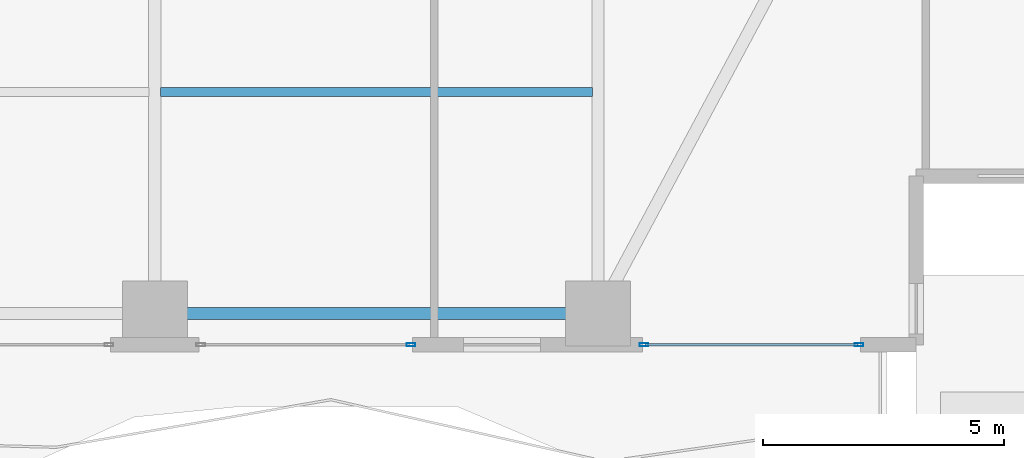
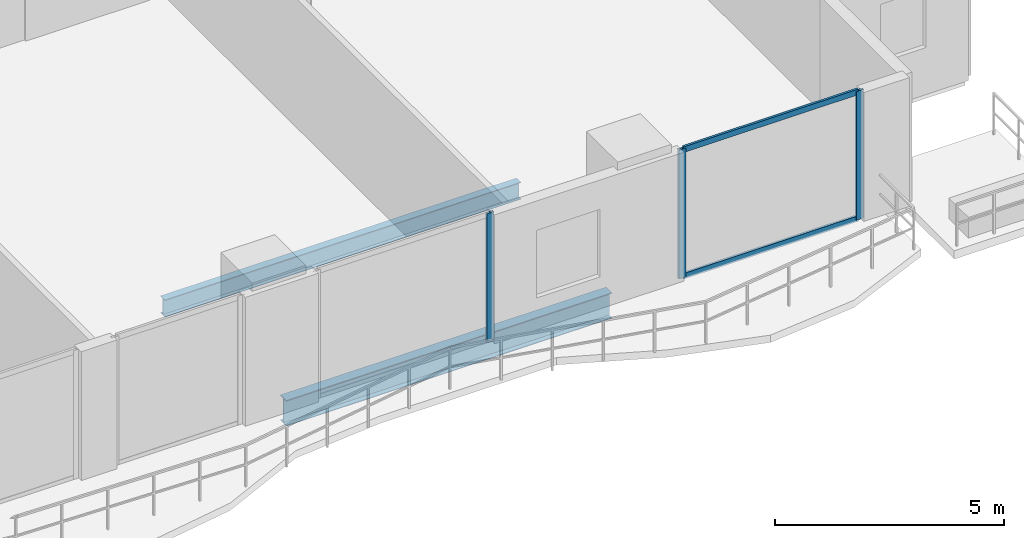
# One storey, part 9 of 30: 5 members, 2 beams, 2 elements without a shape of their own.
"""IFC4 building model written with IfcOpenShell, lengths in metres."""

from ifc_helpers import new_model, si_unit, direction, frame, origin, origin_2d, place, context, subcontext, project, spatial, hollow_rectangle, i_section, extrude, material, layer, layer_set, material_profile, profile_set, type_object, element, aggregate, save


model = new_model("IFC4")

# Units and contexts
model_context = context("Model", 3, precision=1e-05, world=origin(), true_north=direction((0.0, 1.0)))
body_context = subcontext(model_context, "Body", "Model", "MODEL_VIEW")
ifc_project = project(units=[si_unit("LENGTHUNIT", "METRE"), si_unit("AREAUNIT", "SQUARE_METRE"), si_unit("VOLUMEUNIT", "CUBIC_METRE"), si_unit("PLANEANGLEUNIT", "RADIAN"), si_unit("MASSUNIT", "GRAM", prefix="KILO")], contexts=[model_context])

# Site, building, storey
site_placement = place(None, origin())
site = spatial("IfcSite", under=ifc_project, at=site_placement, CompositionType="ELEMENT")
building_placement = place(site_placement, origin())
building = spatial("IfcBuilding", under=site, at=building_placement, Name="Zuhayl Quay Hotel", CompositionType="ELEMENT")
storey_placement = place(building_placement, frame((0.0, 0.0, 128.5)))
storey = spatial("IfcBuildingStorey", under=building, at=storey_placement, Name="L32", CompositionType="ELEMENT", Elevation=128.5)

# Beams
ifc_material_1 = material(Name="Steel ASTM A992 Grade 50", Category="steel")
ifc_material_profile_1 = material_profile(ifc_material_1, i_section(OverallWidth=0.25390625, OverallDepth=0.68310546875, WebThickness=0.012451171875, FlangeThickness=0.018798828125, at=origin_2d()), Name="W27X94")
ifc_profile_set_1 = profile_set([ifc_material_profile_1], Name="Steel ASTM A992 Grade 50")
beam_type_1 = type_object("IfcBeamType", Name="BM_B2_W27X94", PredefinedType="BEAM", material=ifc_profile_set_1)
beam_1_placement = place(storey_placement, frame((5.10009765625, -14.75, -0.5615234375), z_axis=(1.0, 0.0, 0.0), x_axis=(0.0, 1.0, 0.0)))
element("IfcBeam", 1, at=beam_1_placement, inside=storey, type_object=beam_type_1, Name="L32 Floor Beam RG_L32_03", PredefinedType="BEAM", context=body_context, shape_type="SweptSolid", body=[
    extrude(i_section(OverallWidth=0.25390625, OverallDepth=0.68310546875, WebThickness=0.012451171875, FlangeThickness=0.018798828125, at=origin_2d()), origin(), (0.0, 0.0, 1.0), 8.199951171875),
])
ifc_material_profile_2 = material_profile(ifc_material_1, i_section(OverallWidth=0.18994140625, OverallDepth=0.45703125, WebThickness=0.009033203125, FlangeThickness=0.014404296875, at=origin_2d()), Name="W18X50")
ifc_profile_set_2 = profile_set([ifc_material_profile_2], Name="Steel ASTM A992 Grade 50")
beam_type_2 = type_object("IfcBeamType", Name="BM_J2_W18X50", PredefinedType="JOIST", material=ifc_profile_set_2)
beam_2_placement = place(storey_placement, frame((4.718994140625, -10.14990234375, -0.448486328125), z_axis=(1.0, 0.0, 0.0), x_axis=(0.0, 1.0, 0.0)))
element("IfcBeam", 2, at=beam_2_placement, inside=storey, type_object=beam_type_2, Name="L32 Floor Beam FJ_L32_5_3", PredefinedType="JOIST", context=body_context, shape_type="SweptSolid", body=[
    extrude(i_section(OverallWidth=0.18994140625, OverallDepth=0.45703125, WebThickness=0.009033203125, FlangeThickness=0.014404296875, at=origin_2d()), origin(), (0.0, 0.0, 1.0), 8.9619140625),
])

# Curtain wall, members
ifc_material_2 = material(Name="Anodised Aluminium 6063-T6", Category="aluminium")
ifc_layer = layer(ifc_material_2, 0.179931640625, Name="Anodised Aluminium 6063-T6", Category="aluminium")
ifc_layer_set = layer_set([ifc_layer], Name="Anodised Aluminium 6063-T6")
curtain_wall_type = type_object("IfcCurtainWallType", Name="CW_SYS_Z2", PredefinedType="USERDEFINED", material=ifc_layer_set)
curtain_wall_1_placement = place(storey_placement, origin())
curtain_wall_1 = element("IfcCurtainWall", 3, at=curtain_wall_1_placement, inside=storey, type_object=curtain_wall_type, Name="L32 Curtain Wall ENV_L32_S_CW1", ObjectType="UNITISED CURTAIN WALL", PredefinedType="USERDEFINED")
ifc_material_3 = material(Name="Black-anodised aluminium 6063-T6", Category="aluminium")
ifc_material_profile_3 = material_profile(ifc_material_3, hollow_rectangle(XDim=0.06494140625, YDim=0.179931640625, WallThickness=0.00341796875, at=origin_2d()), Name="ALU180X65")
ifc_profile_set_3 = profile_set([ifc_material_profile_3], Name="Black-anodised aluminium 6063-T6")
member_type_1 = type_object("IfcMemberType", Name="MB_CW_MUL_180", PredefinedType="MULLION", material=ifc_profile_set_3)
member_1_placement = place(storey_placement, frame((19.217529296875, -15.39990234375, 0.0), z_axis=(0.0, 0.0, 1.0), x_axis=(0.0, -1.0, 0.0)))
member_1 = element("IfcMember", 4, at=member_1_placement, type_object=member_type_1, Name="CW-Z2 mullion 1", PredefinedType="MULLION", context=body_context, shape_type="SweptSolid", body=[
    extrude(hollow_rectangle(XDim=0.06494140625, YDim=0.179931640625, WallThickness=0.00341796875, at=origin_2d()), origin(), (0.0, 0.0, 1.0), 3.429931640625),
])
member_2_placement = place(storey_placement, frame((14.75244140625, -15.39990234375, 0.0), z_axis=(0.0, 0.0, 1.0), x_axis=(0.0, -1.0, 0.0)))
member_2 = element("IfcMember", 5, at=member_2_placement, type_object=member_type_1, Name="CW-Z2 mullion 2", PredefinedType="MULLION", context=body_context, shape_type="SweptSolid", body=[
    extrude(hollow_rectangle(XDim=0.06494140625, YDim=0.179931640625, WallThickness=0.00341796875, at=origin_2d()), origin(), (0.0, 0.0, 1.0), 3.429931640625),
])

# Curtain wall, member
curtain_wall_2_placement = place(storey_placement, origin())
curtain_wall_2 = element("IfcCurtainWall", 6, at=curtain_wall_2_placement, inside=storey, type_object=curtain_wall_type, Name="L32 Curtain Wall ENV_L32_S_CW2", ObjectType="UNITISED CURTAIN WALL", PredefinedType="USERDEFINED")
member_3_placement = place(storey_placement, frame((9.91748046875, -15.39990234375, 0.0), z_axis=(0.0, 0.0, 1.0), x_axis=(0.0, -1.0, 0.0)))
member_3 = element("IfcMember", 7, at=member_3_placement, type_object=member_type_1, Name="CW-Z2 mullion 1", PredefinedType="MULLION", context=body_context, shape_type="SweptSolid", body=[
    extrude(hollow_rectangle(XDim=0.06494140625, YDim=0.179931640625, WallThickness=0.00341796875, at=origin_2d()), origin(), (0.0, 0.0, 1.0), 3.429931640625),
])
aggregate(curtain_wall_2, [member_3])

# Member
ifc_material_profile_4 = material_profile(ifc_material_3, hollow_rectangle(XDim=0.06005859375, YDim=0.14990234375, WallThickness=0.00341796875, at=origin_2d()), Name="ALU150X60")
ifc_profile_set_4 = profile_set([ifc_material_profile_4], Name="Black-anodised aluminium 6063-T6")
member_type_2 = type_object("IfcMemberType", Name="MB_CW_TRN_150", PredefinedType="USERDEFINED", material=ifc_profile_set_4)
member_4_placement = place(storey_placement, frame((19.18505859375, -15.39990234375, 0.030029296875), z_axis=(-1.0, 0.0, 0.0), x_axis=(0.0, -1.0, 0.0)))
member_4 = element("IfcMember", 8, at=member_4_placement, type_object=member_type_2, Name="CW-Z2 transom 1.1", ObjectType="TRANSOM", PredefinedType="USERDEFINED", context=body_context, shape_type="SweptSolid", body=[
    extrude(hollow_rectangle(XDim=0.06005859375, YDim=0.14990234375, WallThickness=0.00341796875, at=origin_2d()), origin(), (0.0, 0.0, 1.0), 4.400146484375),
])

member_5_placement = place(storey_placement, frame((19.18505859375, -15.39990234375, 3.39990234375), z_axis=(-1.0, 0.0, 0.0), x_axis=(0.0, -1.0, 0.0)))
member_5 = element("IfcMember", 9, at=member_5_placement, type_object=member_type_2, Name="CW-Z2 transom 1.2", ObjectType="TRANSOM", PredefinedType="USERDEFINED", context=body_context, shape_type="SweptSolid", body=[
    extrude(hollow_rectangle(XDim=0.06005859375, YDim=0.14990234375, WallThickness=0.00341796875, at=origin_2d()), origin(), (0.0, 0.0, 1.0), 4.400146484375),
])

aggregate(curtain_wall_1, [member_1, member_2, member_4, member_5])

save(model, "model.ifc")
